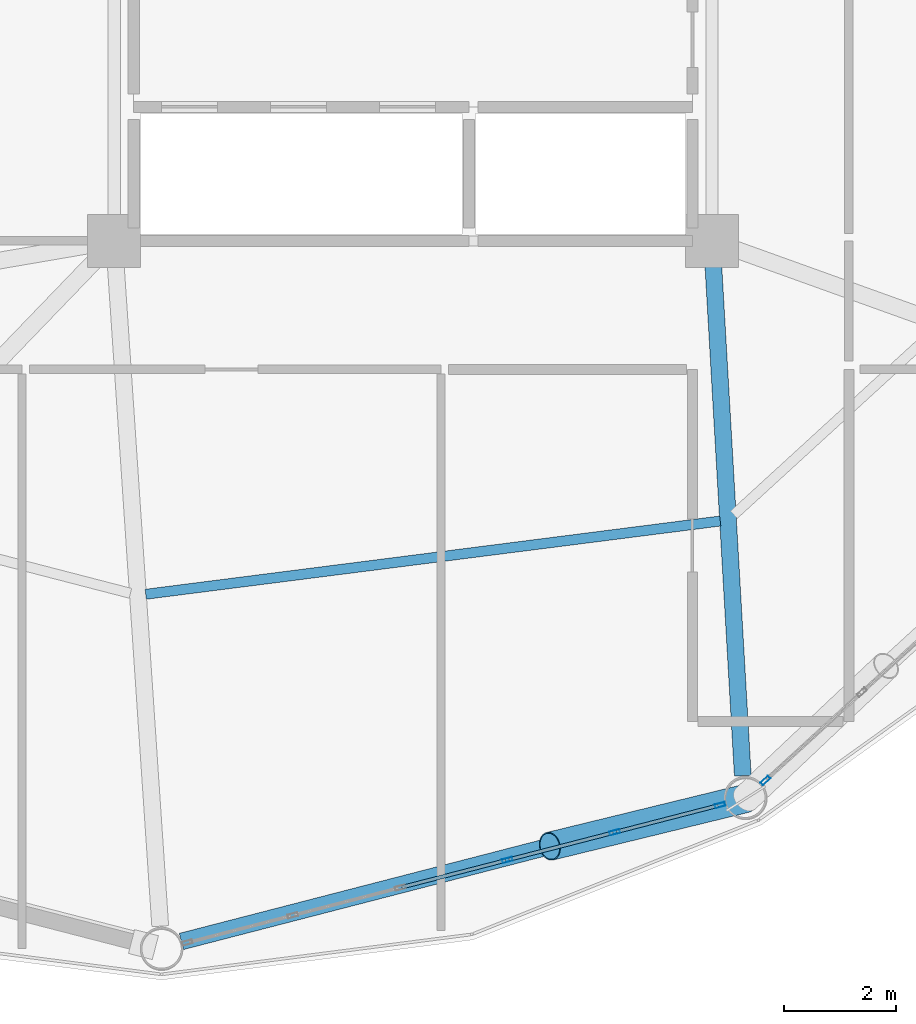
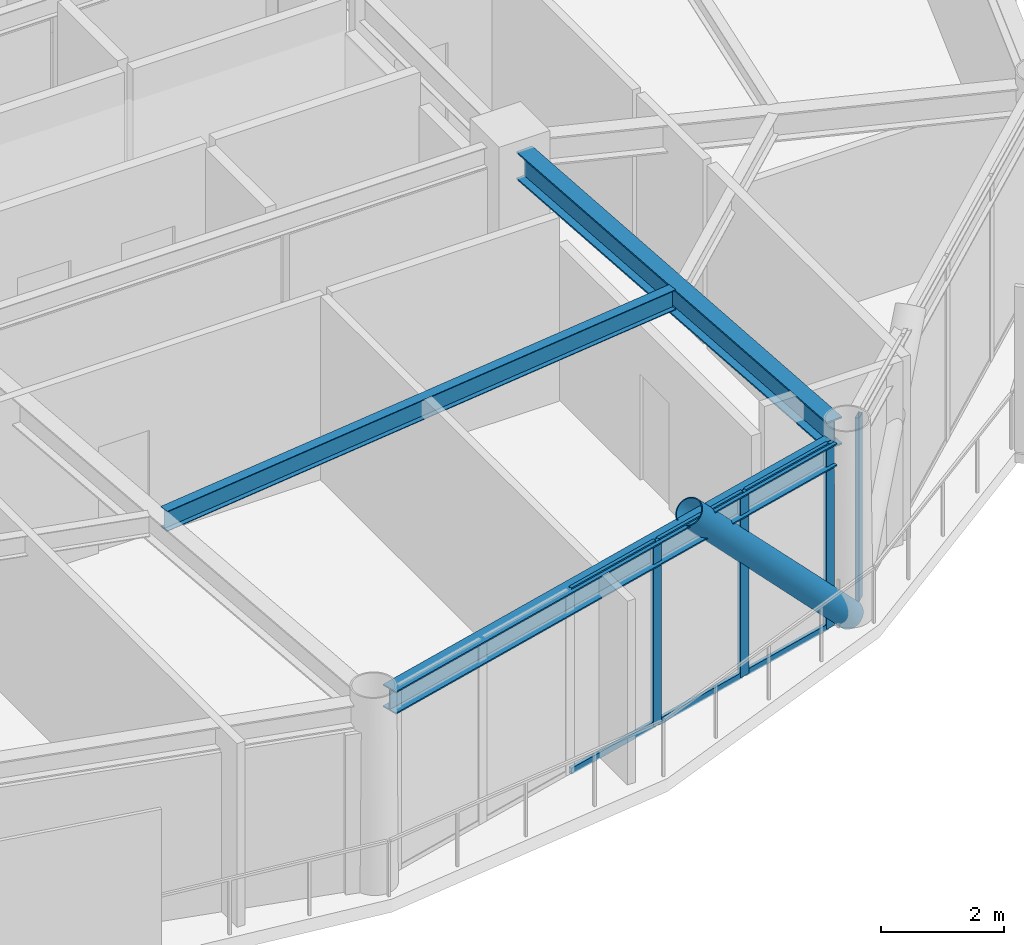
# One storey, part 8 of 27: 11 members, 3 beams, 2 elements without a shape of their own.
"""IFC4 building model written with IfcOpenShell, lengths in metres."""

from ifc_helpers import new_model, si_unit, direction, frame, origin, origin_2d, place, context, subcontext, project, spatial, hollow_rectangle, hollow_circle, i_section, extrude, material, layer, layer_set, material_profile, profile_set, type_object, element, aggregate, save


model = new_model("IFC4")

# Units and contexts
model_context = context("Model", 3, precision=1e-05, world=origin(), true_north=direction((0.0, 1.0)))
body_context = subcontext(model_context, "Body", "Model", "MODEL_VIEW")
ifc_project = project(units=[si_unit("LENGTHUNIT", "METRE"), si_unit("AREAUNIT", "SQUARE_METRE"), si_unit("VOLUMEUNIT", "CUBIC_METRE"), si_unit("PLANEANGLEUNIT", "RADIAN"), si_unit("MASSUNIT", "GRAM", prefix="KILO")], contexts=[model_context])

# Site, building, storey
site_placement = place(None, origin())
site = spatial("IfcSite", under=ifc_project, at=site_placement, CompositionType="ELEMENT")
building_placement = place(site_placement, origin())
building = spatial("IfcBuilding", under=site, at=building_placement, Name="Varnakorn Sky Granary", CompositionType="ELEMENT")
storey_placement = place(building_placement, frame((0.0, 0.0, 134.39990234375)))
storey = spatial("IfcBuildingStorey", under=building, at=storey_placement, Name="L33", CompositionType="ELEMENT", Elevation=134.39990234375)

# Beams
ifc_material_1 = material(Name="Steel S355JR", Category="steel")
ifc_material_profile_1 = material_profile(ifc_material_1, i_section(OverallWidth=0.300048828125, OverallDepth=0.550048828125, WebThickness=0.014892578125, FlangeThickness=0.029052734375, at=origin_2d()), Name="HE 550 B")
ifc_profile_set_1 = profile_set([ifc_material_profile_1], Name="Steel S355JR")
beam_type_1 = type_object("IfcBeamType", Name="BM-RAD-Z3", PredefinedType="BEAM", material=ifc_profile_set_1)
beam_1_placement = place(storey_placement, frame((8.374267578125, -7.019287109375, 3.364990234375), z_axis=(0.057652679585, -0.998336700987, 0.0), x_axis=(0.998336700987, 0.057652679585, 0.0)))
element("IfcBeam", 1, at=beam_1_placement, inside=storey, type_object=beam_type_1, Name="Radial Floor Girder RG11 L33", PredefinedType="BEAM", context=body_context, shape_type="SweptSolid", body=[
    extrude(i_section(OverallWidth=0.300048828125, OverallDepth=0.550048828125, WebThickness=0.014892578125, FlangeThickness=0.029052734375, at=origin_2d()), origin(), (0.0, 0.0, 1.0), 9.16796875),
])
ifc_material_profile_2 = material_profile(ifc_material_1, i_section(OverallWidth=0.179931640625, OverallDepth=0.39990234375, WebThickness=0.008544921875, FlangeThickness=0.013427734375, at=origin_2d()), Name="IPE 400")
ifc_profile_set_2 = profile_set([ifc_material_profile_2], Name="Steel S355JR")
beam_type_2 = type_object("IfcBeamType", Name="BM-SEC-Z3", PredefinedType="BEAM", material=ifc_profile_set_2)
beam_2_placement = place(storey_placement, frame((-1.7841796875, -12.9248046875, 3.440185546875), z_axis=(0.99196871287, 0.126483487805, 0.0), x_axis=(-0.126483487805, 0.99196871287, 0.0)))
element("IfcBeam", 2, at=beam_2_placement, inside=storey, type_object=beam_type_2, Name="Secondary Floor Chord Beam MSB10 L33", PredefinedType="BEAM", context=body_context, shape_type="SweptSolid", body=[
    extrude(i_section(OverallWidth=0.179931640625, OverallDepth=0.39990234375, WebThickness=0.008544921875, FlangeThickness=0.013427734375, at=origin_2d()), origin(), (0.0, 0.0, 1.0), 10.3671875),
])
ifc_material_profile_3 = material_profile(ifc_material_1, i_section(OverallWidth=0.300048828125, OverallDepth=0.449951171875, WebThickness=0.013916015625, FlangeThickness=0.02587890625, at=origin_2d()), Name="HE 450 B")
ifc_profile_set_3 = profile_set([ifc_material_profile_3], Name="Steel S355JR")
beam_type_3 = type_object("IfcBeamType", Name="BM-SPD-Z3", PredefinedType="SPANDREL", material=ifc_profile_set_3)
beam_3_placement = place(storey_placement, frame((-1.1455078125, -19.139404296875, 3.4150390625), z_axis=(0.968201699162, 0.250170881079, 0.0), x_axis=(-0.250170881079, 0.968201699162, 0.0)))
element("IfcBeam", 3, at=beam_3_placement, inside=storey, type_object=beam_type_3, Name="Perimeter Spandrel Ring Beam RB10 L33", PredefinedType="SPANDREL", context=body_context, shape_type="SweptSolid", body=[
    extrude(i_section(OverallWidth=0.300048828125, OverallDepth=0.449951171875, WebThickness=0.013916015625, FlangeThickness=0.02587890625, at=origin_2d()), origin(), (0.0, 0.0, 1.0), 10.0341796875),
])

# Curtain wall, members
ifc_material_2 = material(Name="Anodised Bronze Aluminium Alloy 6063-T6", Category="aluminium")
ifc_layer = layer(ifc_material_2, 0.179931640625, Name="Anodised Bronze Aluminium Alloy 6063-T6")
ifc_layer_set = layer_set([ifc_layer], Name="Anodised Bronze Aluminium Alloy 6063-T6")
curtain_wall_type = type_object("IfcCurtainWallType", Name="CW-FRM-2", PredefinedType="USERDEFINED", material=ifc_layer_set)
curtain_wall_1_placement = place(storey_placement, origin())
curtain_wall_1 = element("IfcCurtainWall", 4, at=curtain_wall_1_placement, inside=storey, type_object=curtain_wall_type, Name="Unitised Curtain Wall CW4 CW-L33-B10", ObjectType="CURTAIN WALL", PredefinedType="USERDEFINED")
ifc_material_profile_4 = material_profile(ifc_material_2, hollow_rectangle(XDim=0.070068359375, YDim=0.18505859375, WallThickness=0.00390625, at=origin_2d()), Name="ALU MULL 70x185")
ifc_profile_set_4 = profile_set([ifc_material_profile_4], Name="Anodised Bronze Aluminium Alloy 6063-T6")
member_type_1 = type_object("IfcMemberType", Name="CW-FRM-2-MULL", PredefinedType="MULLION", material=ifc_profile_set_4)
member_1_placement = place(storey_placement, frame((8.49658203125, -16.6982421875, 0.0), z_axis=(0.0, 0.0, 1.0), x_axis=(0.249979863344, -0.968251035591, 0.0)))
member_1 = element("IfcMember", 5, at=member_1_placement, type_object=member_type_1, Name="CW4 mullion 1", PredefinedType="MULLION", context=body_context, shape_type="SweptSolid", body=[
    extrude(hollow_rectangle(XDim=0.070068359375, YDim=0.18505859375, WallThickness=0.00390625, at=origin_2d()), origin(), (0.0, 0.0, 1.0), 3.64013671875),
])
member_2_placement = place(storey_placement, frame((6.60986328125, -17.185302734375, 0.0), z_axis=(0.0, 0.0, 1.0), x_axis=(0.249979863344, -0.968251035591, 0.0)))
member_2 = element("IfcMember", 6, at=member_2_placement, type_object=member_type_1, Name="CW4 mullion 2", PredefinedType="MULLION", context=body_context, shape_type="SweptSolid", body=[
    extrude(hollow_rectangle(XDim=0.070068359375, YDim=0.18505859375, WallThickness=0.00390625, at=origin_2d()), origin(), (0.0, 0.0, 1.0), 3.64013671875),
])
member_3_placement = place(storey_placement, frame((4.689208984375, -17.68115234375, 0.0), z_axis=(0.0, 0.0, 1.0), x_axis=(0.249979863344, -0.968251035591, 0.0)))
member_3 = element("IfcMember", 7, at=member_3_placement, type_object=member_type_1, Name="CW4 mullion 3", PredefinedType="MULLION", context=body_context, shape_type="SweptSolid", body=[
    extrude(hollow_rectangle(XDim=0.070068359375, YDim=0.18505859375, WallThickness=0.00390625, at=origin_2d()), origin(), (0.0, 0.0, 1.0), 3.64013671875),
])

# Curtain wall, member
curtain_wall_2_placement = place(storey_placement, origin())
curtain_wall_2 = element("IfcCurtainWall", 8, at=curtain_wall_2_placement, inside=storey, type_object=curtain_wall_type, Name="Unitised Curtain Wall CW4 CW-L33-B11", ObjectType="CURTAIN WALL", PredefinedType="USERDEFINED")
member_4_placement = place(storey_placement, frame((9.30859375, -16.2578125, 0.0), z_axis=(0.0, 0.0, 1.0), x_axis=(0.675182733871, -0.737650510664, 0.0)))
member_4 = element("IfcMember", 9, at=member_4_placement, type_object=member_type_1, Name="CW4 mullion 5", PredefinedType="MULLION", context=body_context, shape_type="SweptSolid", body=[
    extrude(hollow_rectangle(XDim=0.070068359375, YDim=0.18505859375, WallThickness=0.00390625, at=origin_2d()), origin(), (0.0, 0.0, 1.0), 3.64013671875),
])
aggregate(curtain_wall_2, [member_4])

# Member
ifc_material_profile_5 = material_profile(ifc_material_2, hollow_rectangle(XDim=0.06494140625, YDim=0.1201171875, WallThickness=0.00341796875, at=origin_2d()), Name="ALU TRAN 65x120")
ifc_profile_set_5 = profile_set([ifc_material_profile_5], Name="Anodised Bronze Aluminium Alloy 6063-T6")
member_type_2 = type_object("IfcMemberType", Name="CW-FRM-2-TRAN", PredefinedType="USERDEFINED", material=ifc_profile_set_5)
member_5_placement = place(storey_placement, frame((8.462646484375, -16.706787109375, 0.03271484375), z_axis=(-0.968232676684, -0.250050962408, 0.0), x_axis=(0.250050962408, -0.968232676684, 0.0)))
member_5 = element("IfcMember", 10, at=member_5_placement, type_object=member_type_2, Name="CW4 transom 1.1", ObjectType="TRANSOM", PredefinedType="USERDEFINED", context=body_context, shape_type="SweptSolid", body=[
    extrude(hollow_rectangle(XDim=0.06494140625, YDim=0.1201171875, WallThickness=0.00341796875, at=origin_2d()), origin(), (0.0, 0.0, 1.0), 1.87841796875),
])

member_6_placement = place(storey_placement, frame((8.462646484375, -16.706787109375, 3.607666015625), z_axis=(-0.968232676684, -0.250050962408, 0.0), x_axis=(0.250050962408, -0.968232676684, 0.0)))
member_6 = element("IfcMember", 11, at=member_6_placement, type_object=member_type_2, Name="CW4 transom 1.2", ObjectType="TRANSOM", PredefinedType="USERDEFINED", context=body_context, shape_type="SweptSolid", body=[
    extrude(hollow_rectangle(XDim=0.06494140625, YDim=0.1201171875, WallThickness=0.00341796875, at=origin_2d()), origin(), (0.0, 0.0, 1.0), 1.87841796875),
])

member_7_placement = place(storey_placement, frame((6.575927734375, -17.194091796875, 0.03271484375), z_axis=(-0.96826836196, -0.249912743225, 0.0), x_axis=(0.249912743225, -0.96826836196, 0.0)))
member_7 = element("IfcMember", 12, at=member_7_placement, type_object=member_type_2, Name="CW4 transom 2.1", ObjectType="TRANSOM", PredefinedType="USERDEFINED", context=body_context, shape_type="SweptSolid", body=[
    extrude(hollow_rectangle(XDim=0.06494140625, YDim=0.1201171875, WallThickness=0.00341796875, at=origin_2d()), origin(), (0.0, 0.0, 1.0), 1.913818359375),
])

member_8_placement = place(storey_placement, frame((6.575927734375, -17.194091796875, 3.607666015625), z_axis=(-0.96826836196, -0.249912743225, 0.0), x_axis=(0.249912743225, -0.96826836196, 0.0)))
member_8 = element("IfcMember", 13, at=member_8_placement, type_object=member_type_2, Name="CW4 transom 2.2", ObjectType="TRANSOM", PredefinedType="USERDEFINED", context=body_context, shape_type="SweptSolid", body=[
    extrude(hollow_rectangle(XDim=0.06494140625, YDim=0.1201171875, WallThickness=0.00341796875, at=origin_2d()), origin(), (0.0, 0.0, 1.0), 1.913818359375),
])

member_9_placement = place(storey_placement, frame((4.6552734375, -17.68994140625, 0.03271484375), z_axis=(-0.96826836196, -0.249912743225, 0.0), x_axis=(0.249912743225, -0.96826836196, 0.0)))
member_9 = element("IfcMember", 14, at=member_9_placement, type_object=member_type_2, Name="CW4 transom 3.1", ObjectType="TRANSOM", PredefinedType="USERDEFINED", context=body_context, shape_type="SweptSolid", body=[
    extrude(hollow_rectangle(XDim=0.06494140625, YDim=0.1201171875, WallThickness=0.00341796875, at=origin_2d()), origin(), (0.0, 0.0, 1.0), 1.913818359375),
])

member_10_placement = place(storey_placement, frame((4.6552734375, -17.68994140625, 3.607666015625), z_axis=(-0.96826836196, -0.249912743225, 0.0), x_axis=(0.249912743225, -0.96826836196, 0.0)))
member_10 = element("IfcMember", 15, at=member_10_placement, type_object=member_type_2, Name="CW4 transom 3.2", ObjectType="TRANSOM", PredefinedType="USERDEFINED", context=body_context, shape_type="SweptSolid", body=[
    extrude(hollow_rectangle(XDim=0.06494140625, YDim=0.1201171875, WallThickness=0.00341796875, at=origin_2d()), origin(), (0.0, 0.0, 1.0), 1.913818359375),
])

aggregate(curtain_wall_1, [member_1, member_2, member_3, member_5, member_6, member_7, member_8, member_9, member_10])

ifc_material_3 = material(Name="Steel S460M", Category="steel")
ifc_material_profile_6 = material_profile(ifc_material_3, hollow_circle(Radius=0.25390625, WallThickness=0.01806640625, at=origin_2d()), Name="CHS 508x18")
ifc_profile_set_6 = profile_set([ifc_material_profile_6], Name="Steel S460M")
member_type_3 = type_object("IfcMemberType", Name="MB-DIAG-T2", PredefinedType="BRACE", material=ifc_profile_set_6)
member_11_placement = place(storey_placement, frame((8.95751953125, -16.5791015625, 0.0), z_axis=(-0.67015731036, -0.163551961547, 0.723975092973), x_axis=(0.237091578166, -0.97148730489, 0.0)))
element("IfcMember", 16, at=member_11_placement, inside=storey, type_object=member_type_3, Name="Perimeter CHS Diagrid Brace DG10 L33", PredefinedType="BRACE", context=body_context, shape_type="SweptSolid", body=[
    extrude(hollow_circle(Radius=0.25390625, WallThickness=0.01806640625, at=origin_2d()), origin(), (0.0, 0.0, 1.0), 5.235107421875),
])

save(model, "model.ifc")
